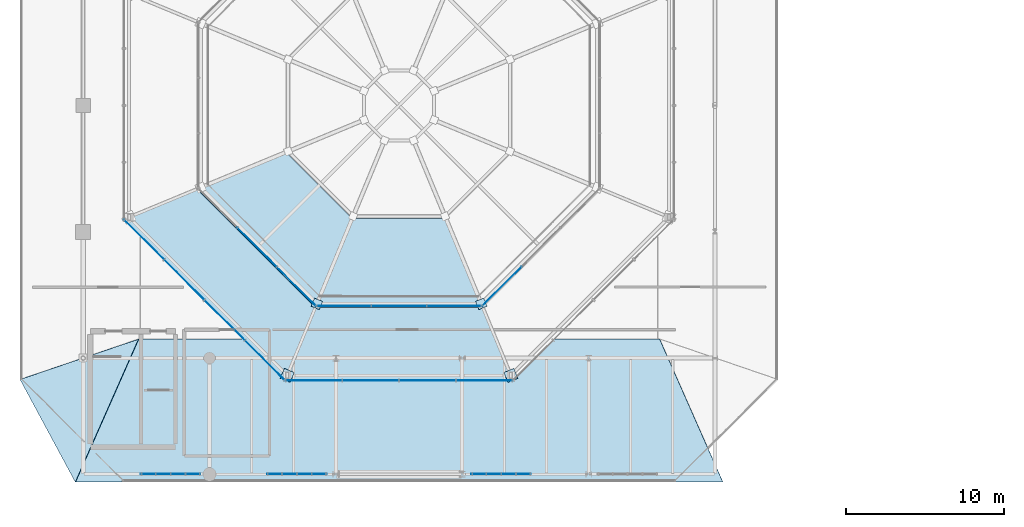
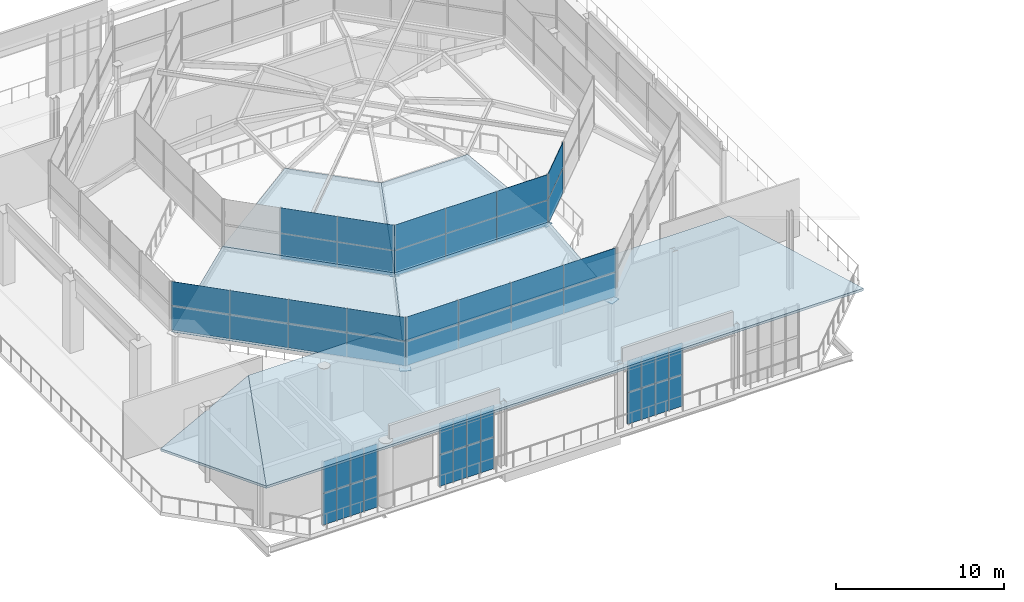
# One storey, part 19 of 30: 60 plates, 2 slabs, 8 elements without a shape of their own.
"""IFC4 building model written with IfcOpenShell, lengths in metres."""

from ifc_helpers import new_model, si_unit, direction, frame, origin, origin_2d, place, context, subcontext, project, spatial, polyline, rectangle, outline, extrude, material, layer, layer_set, type_object, element, aggregate, save


model = new_model("IFC4")

# Units and contexts
model_context = context("Model", 3, precision=1e-05, world=origin(), true_north=direction((0.0, 1.0)))
body_context = subcontext(model_context, "Body", "Model", "MODEL_VIEW")
ifc_project = project(units=[si_unit("LENGTHUNIT", "METRE"), si_unit("AREAUNIT", "SQUARE_METRE"), si_unit("VOLUMEUNIT", "CUBIC_METRE"), si_unit("PLANEANGLEUNIT", "RADIAN"), si_unit("MASSUNIT", "GRAM", prefix="KILO")], contexts=[model_context])

# Site, building, storey
site_placement = place(None, origin())
site = spatial("IfcSite", under=ifc_project, at=site_placement, CompositionType="ELEMENT")
building_placement = place(site_placement, origin())
building = spatial("IfcBuilding", under=site, at=building_placement, Name="Brisemont Oceanarium", CompositionType="ELEMENT")
storey_placement = place(building_placement, frame((0.0, 0.0, 19.800048828125)))
storey = spatial("IfcBuildingStorey", under=building, at=storey_placement, Name="L04", CompositionType="ELEMENT", Elevation=19.800048828125)

# Curtain wall, plates
ifc_material_1 = material(Name="Anodized Extruded Aluminum 6063-T6", Category="aluminium")
curtain_wall_type_1 = type_object("IfcCurtainWallType", Name="CW-CLR-48X34", PredefinedType="NOTDEFINED", material=ifc_material_1)
curtain_wall_1_placement = place(storey_placement, origin())
curtain_wall_1 = element("IfcCurtainWall", 1, at=curtain_wall_1_placement, inside=storey, type_object=curtain_wall_type_1, Name="CW-22 curtain wall CW-DOME-UP-5", PredefinedType="NOTDEFINED")
ifc_material_2 = material(Name="Ceramic-Fritted Spandrel Glass", Category="glass")
ifc_layer_1 = layer(ifc_material_2, 0.030029296875)
ifc_layer_set_1 = layer_set([ifc_layer_1], Name="Ceramic-Fritted Spandrel Glass")
plate_type_1 = type_object("IfcPlateType", Name="PLT-CWP-S4", PredefinedType="CURTAIN_PANEL", material=ifc_layer_set_1)
plate_1_placement = place(storey_placement, frame((75.017333984375, 47.017333984375, 7.75146484375), z_axis=(0.0, 0.0, 1.0), x_axis=(0.707106781187, -0.707106781187, 0.0)))
plate_1 = element("IfcPlate", 2, at=plate_1_placement, type_object=plate_type_1, Name="CW-DOME-UP-5 panel 2.1", PredefinedType="CURTAIN_PANEL", context=body_context, shape_type="SweptSolid", body=[
    extrude(rectangle(XDim=3.5048828125, YDim=0.030029296875, at=origin_2d()), origin(), (0.0, 0.0, 1.0), 1.846923828125),
])
plate_2_placement = place(storey_placement, frame((75.017333984375, 47.017333984375, 9.6015625), z_axis=(0.0, 0.0, 1.0), x_axis=(0.707106781187, -0.707106781187, 0.0)))
plate_2 = element("IfcPlate", 3, at=plate_2_placement, type_object=plate_type_1, Name="CW-DOME-UP-5 panel 2.2", PredefinedType="CURTAIN_PANEL", context=body_context, shape_type="SweptSolid", body=[
    extrude(rectangle(XDim=3.5048828125, YDim=0.030029296875, at=origin_2d()), origin(), (0.0, 0.0, 1.0), 1.846923828125),
])
plate_3_placement = place(storey_placement, frame((77.497802734375, 44.536865234375, 7.75146484375), z_axis=(0.0, 0.0, 1.0), x_axis=(0.707106781187, -0.707106781187, 0.0)))
plate_3 = element("IfcPlate", 4, at=plate_3_placement, type_object=plate_type_1, Name="CW-DOME-UP-5 panel 3.1", PredefinedType="CURTAIN_PANEL", context=body_context, shape_type="SweptSolid", body=[
    extrude(rectangle(XDim=3.5048828125, YDim=0.030029296875, at=origin_2d()), origin(), (0.0, 0.0, 1.0), 1.846923828125),
])
plate_4_placement = place(storey_placement, frame((77.497802734375, 44.536865234375, 9.6015625), z_axis=(0.0, 0.0, 1.0), x_axis=(0.707106781187, -0.707106781187, 0.0)))
plate_4 = element("IfcPlate", 5, at=plate_4_placement, type_object=plate_type_1, Name="CW-DOME-UP-5 panel 3.2", PredefinedType="CURTAIN_PANEL", context=body_context, shape_type="SweptSolid", body=[
    extrude(rectangle(XDim=3.5048828125, YDim=0.030029296875, at=origin_2d()), origin(), (0.0, 0.0, 1.0), 1.846923828125),
])
aggregate(curtain_wall_1, [plate_1, plate_2, plate_3, plate_4])

curtain_wall_2_placement = place(storey_placement, origin())
curtain_wall_2 = element("IfcCurtainWall", 6, at=curtain_wall_2_placement, inside=storey, type_object=curtain_wall_type_1, Name="CW-22 curtain wall CW-DOME-UP-6", PredefinedType="NOTDEFINED")
plate_5_placement = place(storey_placement, frame((80.4921875, 43.296630859375, 7.75146484375), z_axis=(0.0, 0.0, 1.0), x_axis=(1.0, 0.0, 0.0)))
plate_5 = element("IfcPlate", 7, at=plate_5_placement, type_object=plate_type_1, Name="CW-DOME-UP-6 panel 1.1", PredefinedType="CURTAIN_PANEL", context=body_context, shape_type="SweptSolid", body=[
    extrude(rectangle(XDim=3.5048828125, YDim=0.030029296875, at=origin_2d()), origin(), (0.0, 0.0, 1.0), 1.846923828125),
])
plate_6_placement = place(storey_placement, frame((80.4921875, 43.296630859375, 9.6015625), z_axis=(0.0, 0.0, 1.0), x_axis=(1.0, 0.0, 0.0)))
plate_6 = element("IfcPlate", 8, at=plate_6_placement, type_object=plate_type_1, Name="CW-DOME-UP-6 panel 1.2", PredefinedType="CURTAIN_PANEL", context=body_context, shape_type="SweptSolid", body=[
    extrude(rectangle(XDim=3.5048828125, YDim=0.030029296875, at=origin_2d()), origin(), (0.0, 0.0, 1.0), 1.846923828125),
])
plate_7_placement = place(storey_placement, frame((84.0, 43.296630859375, 7.75146484375), z_axis=(0.0, 0.0, 1.0), x_axis=(1.0, 0.0, 0.0)))
plate_7 = element("IfcPlate", 9, at=plate_7_placement, type_object=plate_type_1, Name="CW-DOME-UP-6 panel 2.1", PredefinedType="CURTAIN_PANEL", context=body_context, shape_type="SweptSolid", body=[
    extrude(rectangle(XDim=3.5048828125, YDim=0.030029296875, at=origin_2d()), origin(), (0.0, 0.0, 1.0), 1.846923828125),
])
plate_8_placement = place(storey_placement, frame((84.0, 43.296630859375, 9.6015625), z_axis=(0.0, 0.0, 1.0), x_axis=(1.0, 0.0, 0.0)))
plate_8 = element("IfcPlate", 10, at=plate_8_placement, type_object=plate_type_1, Name="CW-DOME-UP-6 panel 2.2", PredefinedType="CURTAIN_PANEL", context=body_context, shape_type="SweptSolid", body=[
    extrude(rectangle(XDim=3.5048828125, YDim=0.030029296875, at=origin_2d()), origin(), (0.0, 0.0, 1.0), 1.846923828125),
])
plate_9_placement = place(storey_placement, frame((87.5078125, 43.296630859375, 7.75146484375), z_axis=(0.0, 0.0, 1.0), x_axis=(1.0, 0.0, 0.0)))
plate_9 = element("IfcPlate", 11, at=plate_9_placement, type_object=plate_type_1, Name="CW-DOME-UP-6 panel 3.1", PredefinedType="CURTAIN_PANEL", context=body_context, shape_type="SweptSolid", body=[
    extrude(rectangle(XDim=3.5048828125, YDim=0.030029296875, at=origin_2d()), origin(), (0.0, 0.0, 1.0), 1.846923828125),
])
plate_10_placement = place(storey_placement, frame((87.5078125, 43.296630859375, 9.6015625), z_axis=(0.0, 0.0, 1.0), x_axis=(1.0, 0.0, 0.0)))
plate_10 = element("IfcPlate", 12, at=plate_10_placement, type_object=plate_type_1, Name="CW-DOME-UP-6 panel 3.2", PredefinedType="CURTAIN_PANEL", context=body_context, shape_type="SweptSolid", body=[
    extrude(rectangle(XDim=3.5048828125, YDim=0.030029296875, at=origin_2d()), origin(), (0.0, 0.0, 1.0), 1.846923828125),
])
aggregate(curtain_wall_2, [plate_5, plate_6, plate_7, plate_8, plate_9, plate_10])

curtain_wall_3_placement = place(storey_placement, origin())
curtain_wall_3 = element("IfcCurtainWall", 13, at=curtain_wall_3_placement, inside=storey, type_object=curtain_wall_type_1, Name="CW-22 curtain wall CW-DOME-UP-7", PredefinedType="NOTDEFINED")
plate_11_placement = place(storey_placement, frame((90.502197265625, 44.536865234375, 7.75146484375), z_axis=(0.0, 0.0, 1.0), x_axis=(0.707106781187, 0.707106781187, 0.0)))
plate_11 = element("IfcPlate", 14, at=plate_11_placement, type_object=plate_type_1, Name="CW-DOME-UP-7 panel 1.1", PredefinedType="CURTAIN_PANEL", context=body_context, shape_type="SweptSolid", body=[
    extrude(rectangle(XDim=3.5048828125, YDim=0.030029296875, at=origin_2d()), origin(), (0.0, 0.0, 1.0), 1.846923828125),
])
plate_12_placement = place(storey_placement, frame((90.502197265625, 44.536865234375, 9.6015625), z_axis=(0.0, 0.0, 1.0), x_axis=(0.707106781187, 0.707106781187, 0.0)))
plate_12 = element("IfcPlate", 15, at=plate_12_placement, type_object=plate_type_1, Name="CW-DOME-UP-7 panel 1.2", PredefinedType="CURTAIN_PANEL", context=body_context, shape_type="SweptSolid", body=[
    extrude(rectangle(XDim=3.5048828125, YDim=0.030029296875, at=origin_2d()), origin(), (0.0, 0.0, 1.0), 1.846923828125),
])
aggregate(curtain_wall_3, [plate_11, plate_12])

ifc_material_3 = material(Name="Anodized Extruded Aluminum 6063-T6", Category="aluminium")
curtain_wall_type_2 = type_object("IfcCurtainWallType", Name="CW-ROT-69X44", PredefinedType="NOTDEFINED", material=ifc_material_3)
curtain_wall_4_placement = place(storey_placement, origin())
curtain_wall_4 = element("IfcCurtainWall", 16, at=curtain_wall_4_placement, inside=storey, type_object=curtain_wall_type_2, Name="CW-03 curtain wall CW-V1-S-L04-01", PredefinedType="NOTDEFINED")
ifc_material_4 = material(Name="Insulated Low-E Laminated Glass", Category="glass")
ifc_layer_2 = layer(ifc_material_4, 0.028076171875)
ifc_layer_set_2 = layer_set([ifc_layer_2], Name="Insulated Low-E Laminated Glass")
plate_type_2 = type_object("IfcPlateType", Name="PLT-CWP-V3", PredefinedType="CURTAIN_PANEL", material=ifc_layer_set_2)
plate_13_placement = place(storey_placement, frame((68.121337890625, 32.64990234375, 0.00146484375), z_axis=(0.0, 0.0, 1.0), x_axis=(1.0, 0.0, 0.0)))
plate_13 = element("IfcPlate", 17, at=plate_13_placement, type_object=plate_type_2, Name="CW-V1-S-L04-01 panel 1.1", PredefinedType="CURTAIN_PANEL", context=body_context, shape_type="SweptSolid", body=[
    extrude(rectangle(XDim=0.939453125, YDim=0.028076171875, at=origin_2d()), origin(), (0.0, 0.0, 1.0), 2.297119140625),
])
plate_14_placement = place(storey_placement, frame((68.121337890625, 32.64990234375, 2.30126953125), z_axis=(0.0, 0.0, 1.0), x_axis=(1.0, 0.0, 0.0)))
plate_14 = element("IfcPlate", 18, at=plate_14_placement, type_object=plate_type_2, Name="CW-V1-S-L04-01 panel 1.2", PredefinedType="CURTAIN_PANEL", context=body_context, shape_type="SweptSolid", body=[
    extrude(rectangle(XDim=0.939453125, YDim=0.028076171875, at=origin_2d()), origin(), (0.0, 0.0, 1.0), 2.297119140625),
])
plate_15_placement = place(storey_placement, frame((69.063720703125, 32.64990234375, 0.00146484375), z_axis=(0.0, 0.0, 1.0), x_axis=(1.0, 0.0, 0.0)))
plate_15 = element("IfcPlate", 19, at=plate_15_placement, type_object=plate_type_2, Name="CW-V1-S-L04-01 panel 2.1", PredefinedType="CURTAIN_PANEL", context=body_context, shape_type="SweptSolid", body=[
    extrude(rectangle(XDim=0.939453125, YDim=0.028076171875, at=origin_2d()), origin(), (0.0, 0.0, 1.0), 2.297119140625),
])
plate_16_placement = place(storey_placement, frame((69.063720703125, 32.64990234375, 2.30126953125), z_axis=(0.0, 0.0, 1.0), x_axis=(1.0, 0.0, 0.0)))
plate_16 = element("IfcPlate", 20, at=plate_16_placement, type_object=plate_type_2, Name="CW-V1-S-L04-01 panel 2.2", PredefinedType="CURTAIN_PANEL", context=body_context, shape_type="SweptSolid", body=[
    extrude(rectangle(XDim=0.939453125, YDim=0.028076171875, at=origin_2d()), origin(), (0.0, 0.0, 1.0), 2.297119140625),
])
plate_17_placement = place(storey_placement, frame((70.00634765625, 32.64990234375, 0.00146484375), z_axis=(0.0, 0.0, 1.0), x_axis=(1.0, 0.0, 0.0)))
plate_17 = element("IfcPlate", 21, at=plate_17_placement, type_object=plate_type_2, Name="CW-V1-S-L04-01 panel 3.1", PredefinedType="CURTAIN_PANEL", context=body_context, shape_type="SweptSolid", body=[
    extrude(rectangle(XDim=0.939453125, YDim=0.028076171875, at=origin_2d()), origin(), (0.0, 0.0, 1.0), 2.297119140625),
])
plate_18_placement = place(storey_placement, frame((70.00634765625, 32.64990234375, 2.30126953125), z_axis=(0.0, 0.0, 1.0), x_axis=(1.0, 0.0, 0.0)))
plate_18 = element("IfcPlate", 22, at=plate_18_placement, type_object=plate_type_2, Name="CW-V1-S-L04-01 panel 3.2", PredefinedType="CURTAIN_PANEL", context=body_context, shape_type="SweptSolid", body=[
    extrude(rectangle(XDim=0.939453125, YDim=0.028076171875, at=origin_2d()), origin(), (0.0, 0.0, 1.0), 2.297119140625),
])
plate_19_placement = place(storey_placement, frame((70.94873046875, 32.64990234375, 0.00146484375), z_axis=(0.0, 0.0, 1.0), x_axis=(1.0, 0.0, 0.0)))
plate_19 = element("IfcPlate", 23, at=plate_19_placement, type_object=plate_type_2, Name="CW-V1-S-L04-01 panel 4.1", PredefinedType="CURTAIN_PANEL", context=body_context, shape_type="SweptSolid", body=[
    extrude(rectangle(XDim=0.939453125, YDim=0.028076171875, at=origin_2d()), origin(), (0.0, 0.0, 1.0), 2.297119140625),
])
plate_20_placement = place(storey_placement, frame((70.94873046875, 32.64990234375, 2.30126953125), z_axis=(0.0, 0.0, 1.0), x_axis=(1.0, 0.0, 0.0)))
plate_20 = element("IfcPlate", 24, at=plate_20_placement, type_object=plate_type_2, Name="CW-V1-S-L04-01 panel 4.2", PredefinedType="CURTAIN_PANEL", context=body_context, shape_type="SweptSolid", body=[
    extrude(rectangle(XDim=0.939453125, YDim=0.028076171875, at=origin_2d()), origin(), (0.0, 0.0, 1.0), 2.297119140625),
])
aggregate(curtain_wall_4, [plate_13, plate_14, plate_15, plate_16, plate_17, plate_18, plate_19, plate_20])

curtain_wall_5_placement = place(storey_placement, origin())
curtain_wall_5 = element("IfcCurtainWall", 25, at=curtain_wall_5_placement, inside=storey, type_object=curtain_wall_type_2, Name="CW-03 curtain wall CW-V1-S-L04-02", PredefinedType="NOTDEFINED")
plate_21_placement = place(storey_placement, frame((76.121337890625, 32.64990234375, 0.00146484375), z_axis=(0.0, 0.0, 1.0), x_axis=(1.0, 0.0, 0.0)))
plate_21 = element("IfcPlate", 26, at=plate_21_placement, type_object=plate_type_2, Name="CW-V1-S-L04-02 panel 1.1", PredefinedType="CURTAIN_PANEL", context=body_context, shape_type="SweptSolid", body=[
    extrude(rectangle(XDim=0.939453125, YDim=0.028076171875, at=origin_2d()), origin(), (0.0, 0.0, 1.0), 2.297119140625),
])
plate_22_placement = place(storey_placement, frame((76.121337890625, 32.64990234375, 2.30126953125), z_axis=(0.0, 0.0, 1.0), x_axis=(1.0, 0.0, 0.0)))
plate_22 = element("IfcPlate", 27, at=plate_22_placement, type_object=plate_type_2, Name="CW-V1-S-L04-02 panel 1.2", PredefinedType="CURTAIN_PANEL", context=body_context, shape_type="SweptSolid", body=[
    extrude(rectangle(XDim=0.939453125, YDim=0.028076171875, at=origin_2d()), origin(), (0.0, 0.0, 1.0), 2.297119140625),
])
plate_23_placement = place(storey_placement, frame((77.063720703125, 32.64990234375, 0.00146484375), z_axis=(0.0, 0.0, 1.0), x_axis=(1.0, 0.0, 0.0)))
plate_23 = element("IfcPlate", 28, at=plate_23_placement, type_object=plate_type_2, Name="CW-V1-S-L04-02 panel 2.1", PredefinedType="CURTAIN_PANEL", context=body_context, shape_type="SweptSolid", body=[
    extrude(rectangle(XDim=0.939453125, YDim=0.028076171875, at=origin_2d()), origin(), (0.0, 0.0, 1.0), 2.297119140625),
])
plate_24_placement = place(storey_placement, frame((77.063720703125, 32.64990234375, 2.30126953125), z_axis=(0.0, 0.0, 1.0), x_axis=(1.0, 0.0, 0.0)))
plate_24 = element("IfcPlate", 29, at=plate_24_placement, type_object=plate_type_2, Name="CW-V1-S-L04-02 panel 2.2", PredefinedType="CURTAIN_PANEL", context=body_context, shape_type="SweptSolid", body=[
    extrude(rectangle(XDim=0.939453125, YDim=0.028076171875, at=origin_2d()), origin(), (0.0, 0.0, 1.0), 2.297119140625),
])
plate_25_placement = place(storey_placement, frame((78.00634765625, 32.64990234375, 0.00146484375), z_axis=(0.0, 0.0, 1.0), x_axis=(1.0, 0.0, 0.0)))
plate_25 = element("IfcPlate", 30, at=plate_25_placement, type_object=plate_type_2, Name="CW-V1-S-L04-02 panel 3.1", PredefinedType="CURTAIN_PANEL", context=body_context, shape_type="SweptSolid", body=[
    extrude(rectangle(XDim=0.939453125, YDim=0.028076171875, at=origin_2d()), origin(), (0.0, 0.0, 1.0), 2.297119140625),
])
plate_26_placement = place(storey_placement, frame((78.00634765625, 32.64990234375, 2.30126953125), z_axis=(0.0, 0.0, 1.0), x_axis=(1.0, 0.0, 0.0)))
plate_26 = element("IfcPlate", 31, at=plate_26_placement, type_object=plate_type_2, Name="CW-V1-S-L04-02 panel 3.2", PredefinedType="CURTAIN_PANEL", context=body_context, shape_type="SweptSolid", body=[
    extrude(rectangle(XDim=0.939453125, YDim=0.028076171875, at=origin_2d()), origin(), (0.0, 0.0, 1.0), 2.297119140625),
])
plate_27_placement = place(storey_placement, frame((78.94873046875, 32.64990234375, 0.00146484375), z_axis=(0.0, 0.0, 1.0), x_axis=(1.0, 0.0, 0.0)))
plate_27 = element("IfcPlate", 32, at=plate_27_placement, type_object=plate_type_2, Name="CW-V1-S-L04-02 panel 4.1", PredefinedType="CURTAIN_PANEL", context=body_context, shape_type="SweptSolid", body=[
    extrude(rectangle(XDim=0.939453125, YDim=0.028076171875, at=origin_2d()), origin(), (0.0, 0.0, 1.0), 2.297119140625),
])
plate_28_placement = place(storey_placement, frame((78.94873046875, 32.64990234375, 2.30126953125), z_axis=(0.0, 0.0, 1.0), x_axis=(1.0, 0.0, 0.0)))
plate_28 = element("IfcPlate", 33, at=plate_28_placement, type_object=plate_type_2, Name="CW-V1-S-L04-02 panel 4.2", PredefinedType="CURTAIN_PANEL", context=body_context, shape_type="SweptSolid", body=[
    extrude(rectangle(XDim=0.939453125, YDim=0.028076171875, at=origin_2d()), origin(), (0.0, 0.0, 1.0), 2.297119140625),
])
aggregate(curtain_wall_5, [plate_21, plate_22, plate_23, plate_24, plate_25, plate_26, plate_27, plate_28])

curtain_wall_6_placement = place(storey_placement, origin())
curtain_wall_6 = element("IfcCurtainWall", 34, at=curtain_wall_6_placement, inside=storey, type_object=curtain_wall_type_2, Name="CW-03 curtain wall CW-V1-S-L04-03", PredefinedType="NOTDEFINED")
plate_29_placement = place(storey_placement, frame((89.05126953125, 32.64990234375, 0.00146484375), z_axis=(0.0, 0.0, 1.0), x_axis=(1.0, 0.0, 0.0)))
plate_29 = element("IfcPlate", 35, at=plate_29_placement, type_object=plate_type_2, Name="CW-V1-S-L04-03 panel 1.1", PredefinedType="CURTAIN_PANEL", context=body_context, shape_type="SweptSolid", body=[
    extrude(rectangle(XDim=0.939453125, YDim=0.028076171875, at=origin_2d()), origin(), (0.0, 0.0, 1.0), 2.297119140625),
])
plate_30_placement = place(storey_placement, frame((89.05126953125, 32.64990234375, 2.30126953125), z_axis=(0.0, 0.0, 1.0), x_axis=(1.0, 0.0, 0.0)))
plate_30 = element("IfcPlate", 36, at=plate_30_placement, type_object=plate_type_2, Name="CW-V1-S-L04-03 panel 1.2", PredefinedType="CURTAIN_PANEL", context=body_context, shape_type="SweptSolid", body=[
    extrude(rectangle(XDim=0.939453125, YDim=0.028076171875, at=origin_2d()), origin(), (0.0, 0.0, 1.0), 2.297119140625),
])
plate_31_placement = place(storey_placement, frame((89.99365234375, 32.64990234375, 0.00146484375), z_axis=(0.0, 0.0, 1.0), x_axis=(1.0, 0.0, 0.0)))
plate_31 = element("IfcPlate", 37, at=plate_31_placement, type_object=plate_type_2, Name="CW-V1-S-L04-03 panel 2.1", PredefinedType="CURTAIN_PANEL", context=body_context, shape_type="SweptSolid", body=[
    extrude(rectangle(XDim=0.939453125, YDim=0.028076171875, at=origin_2d()), origin(), (0.0, 0.0, 1.0), 2.297119140625),
])
plate_32_placement = place(storey_placement, frame((89.99365234375, 32.64990234375, 2.30126953125), z_axis=(0.0, 0.0, 1.0), x_axis=(1.0, 0.0, 0.0)))
plate_32 = element("IfcPlate", 38, at=plate_32_placement, type_object=plate_type_2, Name="CW-V1-S-L04-03 panel 2.2", PredefinedType="CURTAIN_PANEL", context=body_context, shape_type="SweptSolid", body=[
    extrude(rectangle(XDim=0.939453125, YDim=0.028076171875, at=origin_2d()), origin(), (0.0, 0.0, 1.0), 2.297119140625),
])
plate_33_placement = place(storey_placement, frame((90.936279296875, 32.64990234375, 0.00146484375), z_axis=(0.0, 0.0, 1.0), x_axis=(1.0, 0.0, 0.0)))
plate_33 = element("IfcPlate", 39, at=plate_33_placement, type_object=plate_type_2, Name="CW-V1-S-L04-03 panel 3.1", PredefinedType="CURTAIN_PANEL", context=body_context, shape_type="SweptSolid", body=[
    extrude(rectangle(XDim=0.939453125, YDim=0.028076171875, at=origin_2d()), origin(), (0.0, 0.0, 1.0), 2.297119140625),
])
plate_34_placement = place(storey_placement, frame((90.936279296875, 32.64990234375, 2.30126953125), z_axis=(0.0, 0.0, 1.0), x_axis=(1.0, 0.0, 0.0)))
plate_34 = element("IfcPlate", 40, at=plate_34_placement, type_object=plate_type_2, Name="CW-V1-S-L04-03 panel 3.2", PredefinedType="CURTAIN_PANEL", context=body_context, shape_type="SweptSolid", body=[
    extrude(rectangle(XDim=0.939453125, YDim=0.028076171875, at=origin_2d()), origin(), (0.0, 0.0, 1.0), 2.297119140625),
])
plate_35_placement = place(storey_placement, frame((91.878662109375, 32.64990234375, 0.00146484375), z_axis=(0.0, 0.0, 1.0), x_axis=(1.0, 0.0, 0.0)))
plate_35 = element("IfcPlate", 41, at=plate_35_placement, type_object=plate_type_2, Name="CW-V1-S-L04-03 panel 4.1", PredefinedType="CURTAIN_PANEL", context=body_context, shape_type="SweptSolid", body=[
    extrude(rectangle(XDim=0.939453125, YDim=0.028076171875, at=origin_2d()), origin(), (0.0, 0.0, 1.0), 2.297119140625),
])
plate_36_placement = place(storey_placement, frame((91.878662109375, 32.64990234375, 2.30126953125), z_axis=(0.0, 0.0, 1.0), x_axis=(1.0, 0.0, 0.0)))
plate_36 = element("IfcPlate", 42, at=plate_36_placement, type_object=plate_type_2, Name="CW-V1-S-L04-03 panel 4.2", PredefinedType="CURTAIN_PANEL", context=body_context, shape_type="SweptSolid", body=[
    extrude(rectangle(XDim=0.939453125, YDim=0.028076171875, at=origin_2d()), origin(), (0.0, 0.0, 1.0), 2.297119140625),
])
aggregate(curtain_wall_6, [plate_29, plate_30, plate_31, plate_32, plate_33, plate_34, plate_35, plate_36])

curtain_wall_7_placement = place(storey_placement, origin())
curtain_wall_7 = element("IfcCurtainWall", 43, at=curtain_wall_7_placement, inside=storey, type_object=curtain_wall_type_2, Name="CW-03 curtain wall CW-DOME-DRUM-5", PredefinedType="NOTDEFINED")
plate_37_placement = place(storey_placement, frame((67.860107421875, 47.51123046875, 4.78125), z_axis=(0.0, 0.0, 1.0), x_axis=(0.707106781187, -0.707106781187, 0.0)))
plate_37 = element("IfcPlate", 44, at=plate_37_placement, type_object=plate_type_2, Name="CW-DOME-DRUM-5 panel 1.1", PredefinedType="CURTAIN_PANEL", context=body_context, shape_type="SweptSolid", body=[
    extrude(rectangle(XDim=3.603759765625, YDim=0.028076171875, at=origin_2d()), origin(), (0.0, 0.0, 1.0), 1.757080078125),
])
plate_38_placement = place(storey_placement, frame((67.860107421875, 47.51123046875, 6.54150390625), z_axis=(0.0, 0.0, 1.0), x_axis=(0.707106781187, -0.707106781187, 0.0)))
plate_38 = element("IfcPlate", 45, at=plate_38_placement, type_object=plate_type_2, Name="CW-DOME-DRUM-5 panel 1.2", PredefinedType="CURTAIN_PANEL", context=body_context, shape_type="SweptSolid", body=[
    extrude(rectangle(XDim=3.603759765625, YDim=0.028076171875, at=origin_2d()), origin(), (0.0, 0.0, 1.0), 1.757080078125),
])
plate_39_placement = place(storey_placement, frame((70.410400390625, 44.960693359375, 4.78125), z_axis=(0.0, 0.0, 1.0), x_axis=(0.707106781187, -0.707106781187, 0.0)))
plate_39 = element("IfcPlate", 46, at=plate_39_placement, type_object=plate_type_2, Name="CW-DOME-DRUM-5 panel 2.1", PredefinedType="CURTAIN_PANEL", context=body_context, shape_type="SweptSolid", body=[
    extrude(rectangle(XDim=3.603759765625, YDim=0.028076171875, at=origin_2d()), origin(), (0.0, 0.0, 1.0), 1.757080078125),
])
plate_40_placement = place(storey_placement, frame((70.410400390625, 44.960693359375, 6.54150390625), z_axis=(0.0, 0.0, 1.0), x_axis=(0.707106781187, -0.707106781187, 0.0)))
plate_40 = element("IfcPlate", 47, at=plate_40_placement, type_object=plate_type_2, Name="CW-DOME-DRUM-5 panel 2.2", PredefinedType="CURTAIN_PANEL", context=body_context, shape_type="SweptSolid", body=[
    extrude(rectangle(XDim=3.603759765625, YDim=0.028076171875, at=origin_2d()), origin(), (0.0, 0.0, 1.0), 1.757080078125),
])
plate_41_placement = place(storey_placement, frame((72.960693359375, 42.410400390625, 4.78125), z_axis=(0.0, 0.0, 1.0), x_axis=(0.707106781187, -0.707106781187, 0.0)))
plate_41 = element("IfcPlate", 48, at=plate_41_placement, type_object=plate_type_2, Name="CW-DOME-DRUM-5 panel 3.1", PredefinedType="CURTAIN_PANEL", context=body_context, shape_type="SweptSolid", body=[
    extrude(rectangle(XDim=3.603759765625, YDim=0.028076171875, at=origin_2d()), origin(), (0.0, 0.0, 1.0), 1.757080078125),
])
plate_42_placement = place(storey_placement, frame((72.960693359375, 42.410400390625, 6.54150390625), z_axis=(0.0, 0.0, 1.0), x_axis=(0.707106781187, -0.707106781187, 0.0)))
plate_42 = element("IfcPlate", 49, at=plate_42_placement, type_object=plate_type_2, Name="CW-DOME-DRUM-5 panel 3.2", PredefinedType="CURTAIN_PANEL", context=body_context, shape_type="SweptSolid", body=[
    extrude(rectangle(XDim=3.603759765625, YDim=0.028076171875, at=origin_2d()), origin(), (0.0, 0.0, 1.0), 1.757080078125),
])
plate_43_placement = place(storey_placement, frame((75.51123046875, 39.860107421875, 4.78125), z_axis=(0.0, 0.0, 1.0), x_axis=(0.707106781187, -0.707106781187, 0.0)))
plate_43 = element("IfcPlate", 50, at=plate_43_placement, type_object=plate_type_2, Name="CW-DOME-DRUM-5 panel 4.1", PredefinedType="CURTAIN_PANEL", context=body_context, shape_type="SweptSolid", body=[
    extrude(rectangle(XDim=3.603759765625, YDim=0.028076171875, at=origin_2d()), origin(), (0.0, 0.0, 1.0), 1.757080078125),
])
plate_44_placement = place(storey_placement, frame((75.51123046875, 39.860107421875, 6.54150390625), z_axis=(0.0, 0.0, 1.0), x_axis=(0.707106781187, -0.707106781187, 0.0)))
plate_44 = element("IfcPlate", 51, at=plate_44_placement, type_object=plate_type_2, Name="CW-DOME-DRUM-5 panel 4.2", PredefinedType="CURTAIN_PANEL", context=body_context, shape_type="SweptSolid", body=[
    extrude(rectangle(XDim=3.603759765625, YDim=0.028076171875, at=origin_2d()), origin(), (0.0, 0.0, 1.0), 1.757080078125),
])
aggregate(curtain_wall_7, [plate_37, plate_38, plate_39, plate_40, plate_41, plate_42, plate_43, plate_44])

curtain_wall_8_placement = place(storey_placement, origin())
curtain_wall_8 = element("IfcCurtainWall", 52, at=curtain_wall_8_placement, inside=storey, type_object=curtain_wall_type_2, Name="CW-03 curtain wall CW-DOME-DRUM-6", PredefinedType="NOTDEFINED")
plate_45_placement = place(storey_placement, frame((78.58984375, 38.5849609375, 4.78125), z_axis=(0.0, 0.0, 1.0), x_axis=(1.0, 0.0, 0.0)))
plate_45 = element("IfcPlate", 53, at=plate_45_placement, type_object=plate_type_2, Name="CW-DOME-DRUM-6 panel 1.1", PredefinedType="CURTAIN_PANEL", context=body_context, shape_type="SweptSolid", body=[
    extrude(rectangle(XDim=3.603759765625, YDim=0.028076171875, at=origin_2d()), origin(), (0.0, 0.0, 1.0), 1.757080078125),
])
plate_46_placement = place(storey_placement, frame((78.58984375, 38.5849609375, 6.54150390625), z_axis=(0.0, 0.0, 1.0), x_axis=(1.0, 0.0, 0.0)))
plate_46 = element("IfcPlate", 54, at=plate_46_placement, type_object=plate_type_2, Name="CW-DOME-DRUM-6 panel 1.2", PredefinedType="CURTAIN_PANEL", context=body_context, shape_type="SweptSolid", body=[
    extrude(rectangle(XDim=3.603759765625, YDim=0.028076171875, at=origin_2d()), origin(), (0.0, 0.0, 1.0), 1.757080078125),
])
plate_47_placement = place(storey_placement, frame((82.196533203125, 38.5849609375, 4.78125), z_axis=(0.0, 0.0, 1.0), x_axis=(1.0, 0.0, 0.0)))
plate_47 = element("IfcPlate", 55, at=plate_47_placement, type_object=plate_type_2, Name="CW-DOME-DRUM-6 panel 2.1", PredefinedType="CURTAIN_PANEL", context=body_context, shape_type="SweptSolid", body=[
    extrude(rectangle(XDim=3.603759765625, YDim=0.028076171875, at=origin_2d()), origin(), (0.0, 0.0, 1.0), 1.757080078125),
])
plate_48_placement = place(storey_placement, frame((82.196533203125, 38.5849609375, 6.54150390625), z_axis=(0.0, 0.0, 1.0), x_axis=(1.0, 0.0, 0.0)))
plate_48 = element("IfcPlate", 56, at=plate_48_placement, type_object=plate_type_2, Name="CW-DOME-DRUM-6 panel 2.2", PredefinedType="CURTAIN_PANEL", context=body_context, shape_type="SweptSolid", body=[
    extrude(rectangle(XDim=3.603759765625, YDim=0.028076171875, at=origin_2d()), origin(), (0.0, 0.0, 1.0), 1.757080078125),
])
plate_49_placement = place(storey_placement, frame((85.803466796875, 38.5849609375, 4.78125), z_axis=(0.0, 0.0, 1.0), x_axis=(1.0, 0.0, 0.0)))
plate_49 = element("IfcPlate", 57, at=plate_49_placement, type_object=plate_type_2, Name="CW-DOME-DRUM-6 panel 3.1", PredefinedType="CURTAIN_PANEL", context=body_context, shape_type="SweptSolid", body=[
    extrude(rectangle(XDim=3.603759765625, YDim=0.028076171875, at=origin_2d()), origin(), (0.0, 0.0, 1.0), 1.757080078125),
])
plate_50_placement = place(storey_placement, frame((85.803466796875, 38.5849609375, 6.54150390625), z_axis=(0.0, 0.0, 1.0), x_axis=(1.0, 0.0, 0.0)))
plate_50 = element("IfcPlate", 58, at=plate_50_placement, type_object=plate_type_2, Name="CW-DOME-DRUM-6 panel 3.2", PredefinedType="CURTAIN_PANEL", context=body_context, shape_type="SweptSolid", body=[
    extrude(rectangle(XDim=3.603759765625, YDim=0.028076171875, at=origin_2d()), origin(), (0.0, 0.0, 1.0), 1.757080078125),
])
plate_51_placement = place(storey_placement, frame((89.41015625, 38.5849609375, 4.78125), z_axis=(0.0, 0.0, 1.0), x_axis=(1.0, 0.0, 0.0)))
plate_51 = element("IfcPlate", 59, at=plate_51_placement, type_object=plate_type_2, Name="CW-DOME-DRUM-6 panel 4.1", PredefinedType="CURTAIN_PANEL", context=body_context, shape_type="SweptSolid", body=[
    extrude(rectangle(XDim=3.603759765625, YDim=0.028076171875, at=origin_2d()), origin(), (0.0, 0.0, 1.0), 1.757080078125),
])
plate_52_placement = place(storey_placement, frame((89.41015625, 38.5849609375, 6.54150390625), z_axis=(0.0, 0.0, 1.0), x_axis=(1.0, 0.0, 0.0)))
plate_52 = element("IfcPlate", 60, at=plate_52_placement, type_object=plate_type_2, Name="CW-DOME-DRUM-6 panel 4.2", PredefinedType="CURTAIN_PANEL", context=body_context, shape_type="SweptSolid", body=[
    extrude(rectangle(XDim=3.603759765625, YDim=0.028076171875, at=origin_2d()), origin(), (0.0, 0.0, 1.0), 1.757080078125),
])
aggregate(curtain_wall_8, [plate_45, plate_46, plate_47, plate_48, plate_49, plate_50, plate_51, plate_52])

# Plates
ifc_material_5 = material(Name="Insulated Low-E Laminated Glass", Category="glass")
ifc_layer_3 = layer(ifc_material_5, 0.035888671875)
ifc_layer_set_3 = layer_set([ifc_layer_3], Name="Insulated Low-E Laminated Glass")
plate_type_3 = type_object("IfcPlateType", Name="PLT-DOME-GL1", PredefinedType="USERDEFINED", material=ifc_layer_set_3)
plate_53_placement = place(storey_placement, frame((66.6005859375, 48.79296875, 4.619873046875), z_axis=(-0.421406280375, -0.421406280375, 0.803015251239), x_axis=(0.707106781187, -0.707106781187, 0.0)))
element("IfcPlate", 61, at=plate_53_placement, inside=storey, type_object=plate_type_3, Name="V1 dome laminated skylight facet 1.5", ObjectType="SKYLIGHT_PANEL", PredefinedType="USERDEFINED", context=body_context, shape_type="SweptSolid", body=[
    extrude(outline(polyline([(0.0, 0.0), (14.414206006335931, 0.0), (12.505397490813555, 5.738933411913823), (1.9088085155223768, 5.738933411913824), (0.0, 0.0)])), origin(), (0.0, 0.0, -1.0), 0.035888671875),
])
plate_54_placement = place(storey_placement, frame((76.79296875, 38.6005859375, 4.619873046875), z_axis=(0.0, -0.595962864768, 0.803011994815), x_axis=(1.0, 0.0, 0.0)))
element("IfcPlate", 62, at=plate_54_placement, inside=storey, type_object=plate_type_3, Name="V1 dome laminated skylight facet 1.6", ObjectType="SKYLIGHT_PANEL", PredefinedType="USERDEFINED", context=body_context, shape_type="SweptSolid", body=[
    extrude(outline(polyline([(0.0, 0.0), (14.4140625, 0.0), (12.505126953125, 5.738891158855395), (1.908935546875, 5.738891158855395), (0.0, 0.0)])), origin(), (0.0, 0.0, -1.0), 0.035888671875),
])
ifc_material_6 = material(Name="Insulated Low-E Laminated Glass", Category="glass")
ifc_layer_4 = layer(ifc_material_6, 0.033935546875)
ifc_layer_set_4 = layer_set([ifc_layer_4], Name="Insulated Low-E Laminated Glass")
plate_type_4 = type_object("IfcPlateType", Name="PLT-DOME-GL2", PredefinedType="USERDEFINED", material=ifc_layer_set_4)
plate_55_placement = place(storey_placement, frame((71.208984375, 50.701904296875, 8.0400390625), z_axis=(-0.266867502107, -0.266867502107, 0.926047230242), x_axis=(0.707106781187, -0.707106781187, 0.0)))
element("IfcPlate", 63, at=plate_55_placement, inside=storey, type_object=plate_type_4, Name="V1 dome laminated skylight facet 2.5", ObjectType="SKYLIGHT_PANEL", PredefinedType="USERDEFINED", context=body_context, shape_type="SweptSolid", body=[
    extrude(outline(polyline([(0.0, 0.0), (10.596588975291178, 0.0), (8.259131500372757, 6.093688729785124), (2.337457474918421, 6.093688729785125), (0.0, 0.0)])), origin(), (0.0, 0.0, -1.0), 0.033935546875),
])
plate_56_placement = place(storey_placement, frame((78.701904296875, 43.208984375, 8.0400390625), z_axis=(0.0, -0.377406331101, 0.926047764019), x_axis=(1.0, 0.0, 0.0)))
element("IfcPlate", 64, at=plate_56_placement, inside=storey, type_object=plate_type_4, Name="V1 dome laminated skylight facet 2.6", ObjectType="SKYLIGHT_PANEL", PredefinedType="USERDEFINED", context=body_context, shape_type="SweptSolid", body=[
    extrude(outline(polyline([(0.0, 0.0), (10.59619140625, 0.0), (8.2587890625, 6.093709877077695), (2.33740234375, 6.093709877077695), (0.0, 0.0)])), origin(), (0.0, 0.0, -1.0), 0.033935546875),
])
ifc_material_7 = material(Name="Structural Steel ASTM A572 Gr.50", Category="steel")
ifc_layer_5 = layer(ifc_material_7, 0.031982421875)
ifc_layer_set_5 = layer_set([ifc_layer_5], Name="Structural Steel ASTM A572 Gr.50")
plate_type_5 = type_object("IfcPlateType", Name="PLT-NODE-DN1", PredefinedType="SHEET", material=ifc_layer_set_5)
for number, where, z_axis, x_axis, name in (
    (65, (76.92041015625, 38.908203125, 4.36376953125), (0.0, 0.0, 1.0), (-0.382683432365, -0.923879532511, 0.0), "V1 dome structural node plate DN-01"),
    (66, (91.07958984375, 38.908203125, 4.36376953125), (0.0, 0.0, 1.0), (0.382683432365, -0.923879532511, 0.0), "V1 dome structural node plate DN-01"),
):
    element("IfcPlate", number, at=place(storey_placement, frame(where, z_axis=z_axis, x_axis=x_axis)), inside=storey, type_object=plate_type_5, Name=name, PredefinedType="SHEET", context=body_context, shape_type="SweptSolid", body=[
        extrude(rectangle(XDim=0.679931640625, YDim=0.679931640625, at=origin_2d()), origin(), (0.0, 0.0, 1.0), 0.031982421875),
    ])
ifc_material_8 = material(Name="Structural Steel ASTM A572 Gr.50", Category="steel")
ifc_layer_6 = layer(ifc_material_8, 0.028076171875)
ifc_layer_set_6 = layer_set([ifc_layer_6], Name="Structural Steel ASTM A572 Gr.50")
plate_type_6 = type_object("IfcPlateType", Name="PLT-NODE-DN2", PredefinedType="SHEET", material=ifc_layer_set_6)
for number, where, z_axis, x_axis, name in (
    (67, (78.79541015625, 43.435302734375, 7.7861328125), (0.0, 0.0, 1.0), (-0.382683432365, -0.923879532511, 0.0), "V1 dome structural node plate DN-02"),
    (68, (89.20458984375, 43.435302734375, 7.7861328125), (0.0, 0.0, 1.0), (0.382683432365, -0.923879532511, 0.0), "V1 dome structural node plate DN-02"),
):
    element("IfcPlate", number, at=place(storey_placement, frame(where, z_axis=z_axis, x_axis=x_axis)), inside=storey, type_object=plate_type_6, Name=name, PredefinedType="SHEET", context=body_context, shape_type="SweptSolid", body=[
        extrude(rectangle(XDim=0.56005859375, YDim=0.56005859375, at=origin_2d()), origin(), (0.0, 0.0, 1.0), 0.028076171875),
    ])

# Slabs
ifc_material_9 = material(Name="Concrete C35/45", Category="concrete")
ifc_layer_7 = layer(ifc_material_9, 0.199951171875)
ifc_layer_set_7 = layer_set([ifc_layer_7], Name="Concrete C35/45")
slab_type = type_object("IfcSlabType", Name="SLB-RF-200", PredefinedType="ROOF", material=ifc_layer_set_7)
slab_1_placement = place(storey_placement, frame((63.5, 32.14990234375, 4.599853515625), z_axis=(0.0, -0.126073285067, 0.992020930622), x_axis=(1.0, 0.0, 0.0)))
element("IfcSlab", 69, at=slab_1_placement, inside=storey, type_object=slab_type, Name="V1 drum mansard pitched roof S slope", PredefinedType="ROOF", context=body_context, shape_type="SweptSolid", body=[
    extrude(outline(polyline([(0.0, 0.0), (41.0, 0.0), (37.0, 9.12284060624578), (4.0, 9.12284060624578), (0.0, 0.0)])), origin(), (0.0, 0.0, -1.0), 0.199951171875),
])
slab_2_placement = place(storey_placement, frame((60.0, 38.64990234375, 4.599853515625), z_axis=(-0.128239436501, -0.06905200427, 0.989336377393), x_axis=(0.474099823035, -0.880471099922, 0.0)))
element("IfcSlab", 70, at=slab_2_placement, inside=storey, type_object=slab_type, Name="V1 drum mansard pitched roof SW slope", PredefinedType="ROOF", context=body_context, shape_type="SweptSolid", body=[
    extrude(outline(polyline([(0.0, 0.0), (7.3824115301167, 4.440892098500626e-16), (1.3105043762081579, 7.896718574273819), (0.0, 0.0)])), origin(), (0.0, 0.0, -1.0), 0.199951171875),
])

save(model, "model.ifc")
